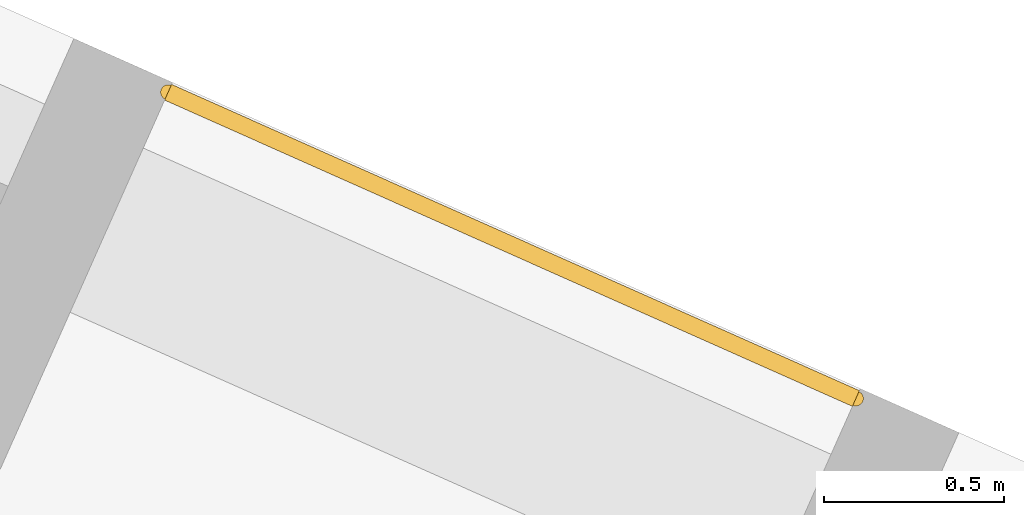
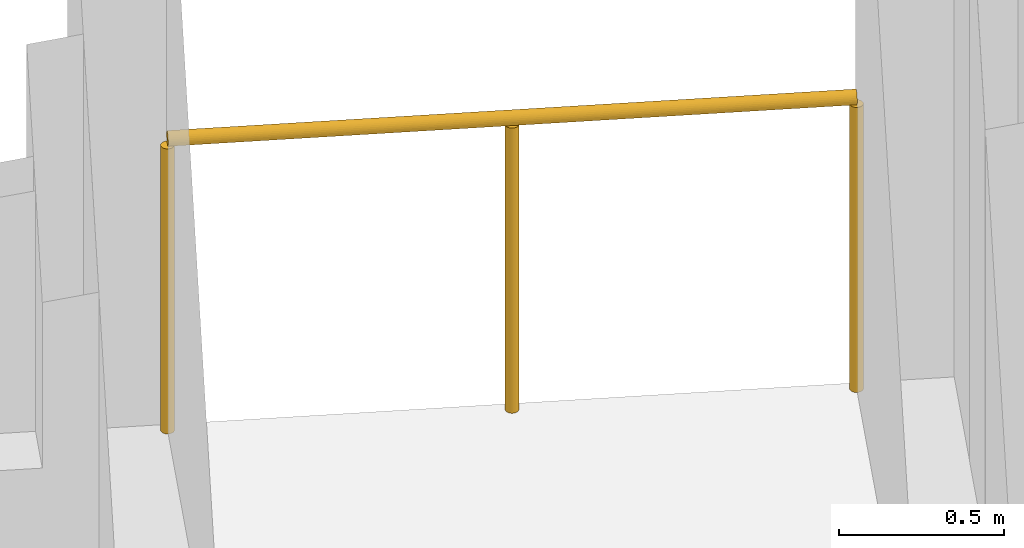
# One storey, part 14 of 14: 1 railing.
"""IFC4 building model written with IfcOpenShell, lengths in metres."""

from ifc_helpers import new_model, si_unit, direction, frame, origin, origin_2d, place, context, subcontext, project, spatial, circle, extrude, material, type_object, element, save


model = new_model("IFC4")

# Units and contexts
model_context = context("Model", 3, precision=1e-05, world=origin(), true_north=direction((0.0, 1.0)))
body_context = subcontext(model_context, "Body", "Model", "MODEL_VIEW")
ifc_project = project(units=[si_unit("LENGTHUNIT", "METRE"), si_unit("AREAUNIT", "SQUARE_METRE"), si_unit("VOLUMEUNIT", "CUBIC_METRE"), si_unit("PLANEANGLEUNIT", "RADIAN"), si_unit("MASSUNIT", "GRAM", prefix="KILO")], contexts=[model_context])

# Site, building, storey
site_placement = place(None, origin())
site = spatial("IfcSite", under=ifc_project, at=site_placement, CompositionType="ELEMENT")
building_placement = place(site_placement, origin())
building = spatial("IfcBuilding", under=site, at=building_placement, Name="Tramontana Tower", CompositionType="ELEMENT")
storey_placement = place(building_placement, frame((0.0, 0.0, 166.800048828125)))
storey = spatial("IfcBuildingStorey", under=building, at=storey_placement, Name="L38", CompositionType="ELEMENT", Elevation=166.800048828125)

# Railing
ifc_material = material(Name="Laminated glass balustrade", Category="glass")
railing_type = type_object("IfcRailingType", Name="GD1 Loggia glass balustrade 1100", PredefinedType="BALUSTRADE", material=ifc_material)
railing_placement = place(storey_placement, frame((26.319091796875, 6.85791015625, 0.0)))
element("IfcRailing", 1, at=railing_placement, inside=storey, type_object=railing_type, Name="Loggia balustrade L38 G4S2.1", PredefinedType="BALUSTRADE", context=body_context, shape_type="SweptSolid", body=[
    extrude(circle(Radius=0.02392578125, at=origin_2d()), frame((0.0, 0.0, 1.076171875), z_axis=(-0.913537312596, 0.406754936657, 0.0), x_axis=(-0.406754936657, -0.913537312596, 0.0)), (0.0, 0.0, 1.0), 2.09423828125),
    extrude(circle(Radius=0.02099609375, at=origin_2d()), origin(), (0.0, 0.0, 1.0), 1.052001953125),
    extrude(circle(Radius=0.02099609375, at=origin_2d()), frame((-0.95654296875, 0.42578125, 0.0)), (0.0, 0.0, 1.0), 1.052001953125),
    extrude(circle(Radius=0.02099609375, at=origin_2d()), frame((-1.9130859375, 0.851806640625, 0.0)), (0.0, 0.0, 1.0), 1.052001953125),
])

save(model, "model.ifc")
